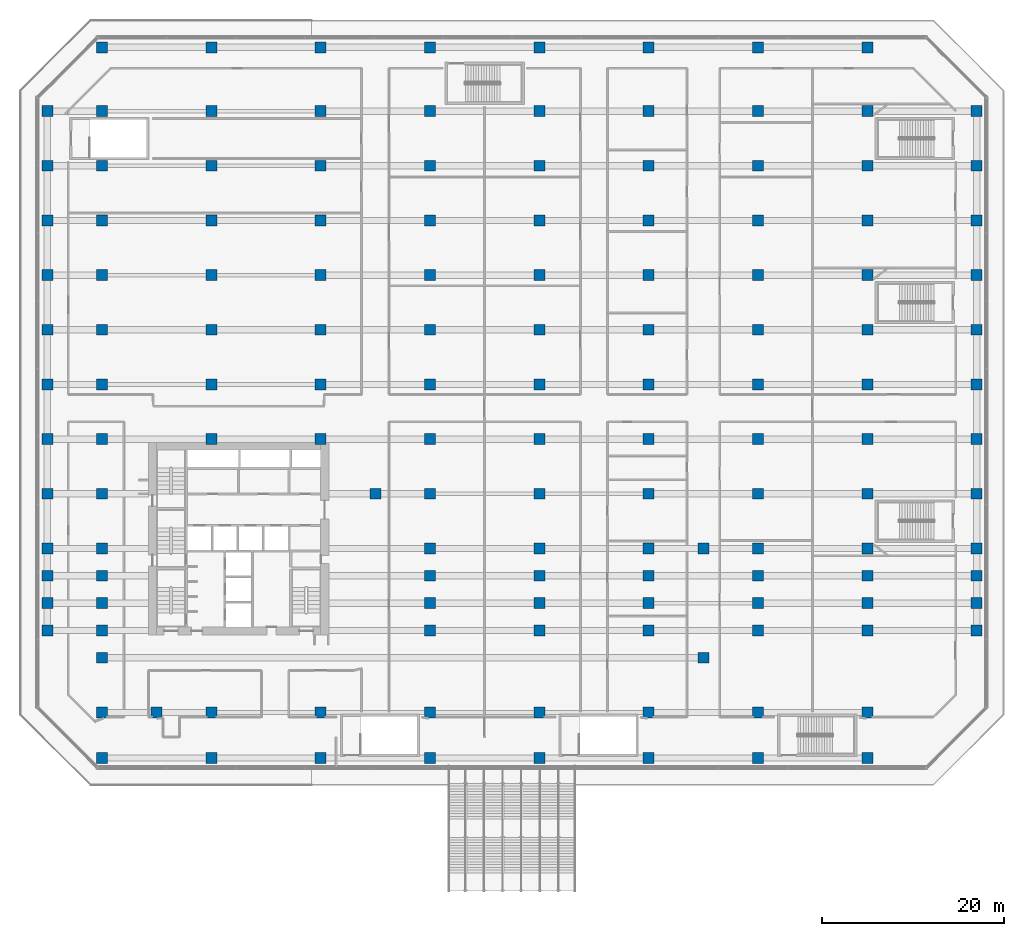
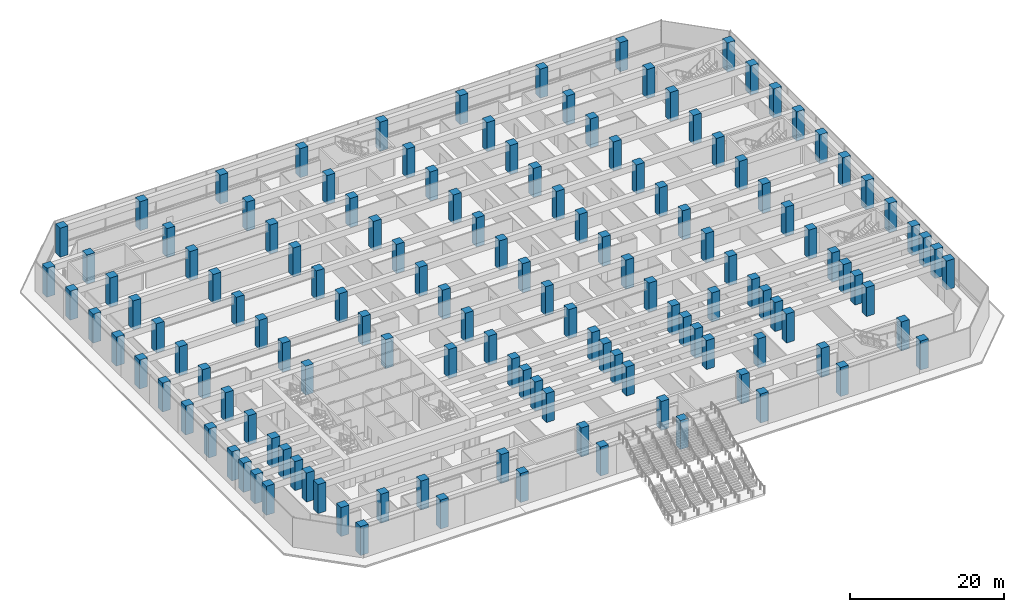
# One storey, part 1 of 40: 139 columns.
"""IFC4 building model written with IfcOpenShell, lengths in metres."""

from ifc_helpers import new_model, si_unit, direction, frame, origin, origin_2d, place, context, subcontext, project, spatial, rectangle, extrude, material, material_profile, profile_set, type_object, element, save


model = new_model("IFC4")

# Units and contexts
model_context = context("Model", 3, precision=1e-05, world=origin(), true_north=direction((0.0, 1.0)))
body_context = subcontext(model_context, "Body", "Model", "MODEL_VIEW")
ifc_project = project(units=[si_unit("LENGTHUNIT", "METRE"), si_unit("AREAUNIT", "SQUARE_METRE"), si_unit("VOLUMEUNIT", "CUBIC_METRE"), si_unit("PLANEANGLEUNIT", "RADIAN"), si_unit("MASSUNIT", "GRAM", prefix="KILO")], contexts=[model_context])

# Site, building, storey
site_placement = place(None, origin())
site = spatial("IfcSite", under=ifc_project, at=site_placement, CompositionType="ELEMENT")
building_placement = place(site_placement, origin())
building = spatial("IfcBuilding", under=site, at=building_placement, Name="Welwitschia Terrace Campus", CompositionType="ELEMENT")
storey_placement = place(building_placement, frame((0.0, 0.0, 6.0)))
storey = spatial("IfcBuildingStorey", under=building, at=storey_placement, Name="L01", CompositionType="ELEMENT", Elevation=6.0)

# Columns
ifc_material = material(Name="Concrete C60/75", Category="concrete")
ifc_material_profile = material_profile(ifc_material, rectangle(XDim=1.199951171875, YDim=1.199951171875, at=origin_2d()))
ifc_profile_set = profile_set([ifc_material_profile], Name="Concrete C60/75")
column_type = type_object("IfcColumnType", Name="Base column 1200x1200", PredefinedType="COLUMN", material=ifc_profile_set)
for number, where, z_axis, x_axis, name in (
    (1, (-6.0, 5.0, 0.0), (0.0, 0.0, 1.0), (1.0, 0.0, 0.0), "Column C1"),
    (2, (-6.0, 8.0, 0.0), (0.0, 0.0, 1.0), (1.0, 0.0, 0.0), "Column C1"),
    (3, (-6.0, 11.0, 0.0), (0.0, 0.0, 1.0), (1.0, 0.0, 0.0), "Column C1"),
    (4, (-6.0, 14.0, 0.0), (0.0, 0.0, 1.0), (1.0, 0.0, 0.0), "Column C1"),
    (5, (-6.0, 20.0, 0.0), (0.0, 0.0, 1.0), (1.0, 0.0, 0.0), "Column C1"),
    (6, (-6.0, 26.0, 0.0), (0.0, 0.0, 1.0), (1.0, 0.0, 0.0), "Column C1"),
    (7, (-6.0, 32.0, 0.0), (0.0, 0.0, 1.0), (1.0, 0.0, 0.0), "Column C1"),
    (8, (-6.0, 38.0, 0.0), (0.0, 0.0, 1.0), (1.0, 0.0, 0.0), "Column C1"),
    (9, (-6.0, 44.0, 0.0), (0.0, 0.0, 1.0), (1.0, 0.0, 0.0), "Column C1"),
    (10, (-6.0, 50.0, 0.0), (0.0, 0.0, 1.0), (1.0, 0.0, 0.0), "Column C1"),
    (11, (-6.0, 56.0, 0.0), (0.0, 0.0, 1.0), (1.0, 0.0, 0.0), "Column C1"),
    (12, (-6.0, 62.0, 0.0), (0.0, 0.0, 1.0), (1.0, 0.0, 0.0), "Column C1"),
    (13, (0.0, -9.0, 0.0), (0.0, 0.0, 1.0), (1.0, 0.0, 0.0), "Column C1"),
    (14, (0.0, -4.0, 0.0), (0.0, 0.0, 1.0), (1.0, 0.0, 0.0), "Column C1"),
    (15, (0.0, 2.0, 0.0), (0.0, 0.0, 1.0), (1.0, 0.0, 0.0), "Column C1"),
    (16, (0.0, 5.0, 0.0), (0.0, 0.0, 1.0), (1.0, 0.0, 0.0), "Column C1"),
    (17, (0.0, 8.0, 0.0), (0.0, 0.0, 1.0), (1.0, 0.0, 0.0), "Column C1"),
    (18, (0.0, 11.0, 0.0), (0.0, 0.0, 1.0), (1.0, 0.0, 0.0), "Column C1"),
    (19, (0.0, 14.0, 0.0), (0.0, 0.0, 1.0), (1.0, 0.0, 0.0), "Column C1"),
    (20, (0.0, 20.0, 0.0), (0.0, 0.0, 1.0), (1.0, 0.0, 0.0), "Column C1"),
    (21, (0.0, 26.0, 0.0), (0.0, 0.0, 1.0), (1.0, 0.0, 0.0), "Column C1"),
    (22, (0.0, 32.0, 0.0), (0.0, 0.0, 1.0), (1.0, 0.0, 0.0), "Column C1"),
    (23, (0.0, 38.0, 0.0), (0.0, 0.0, 1.0), (1.0, 0.0, 0.0), "Column C1"),
    (24, (0.0, 44.0, 0.0), (0.0, 0.0, 1.0), (1.0, 0.0, 0.0), "Column C1"),
    (25, (0.0, 50.0, 0.0), (0.0, 0.0, 1.0), (1.0, 0.0, 0.0), "Column C1"),
    (26, (0.0, 56.0, 0.0), (0.0, 0.0, 1.0), (1.0, 0.0, 0.0), "Column C1"),
    (27, (0.0, 62.0, 0.0), (0.0, 0.0, 1.0), (1.0, 0.0, 0.0), "Column C1"),
    (28, (0.0, 69.0, 0.0), (0.0, 0.0, 1.0), (1.0, 0.0, 0.0), "Column C1"),
    (29, (6.0, -4.0, 0.0), (0.0, 0.0, 1.0), (1.0, 0.0, 0.0), "Column C1"),
    (30, (12.0, -9.0, 0.0), (0.0, 0.0, 1.0), (1.0, 0.0, 0.0), "Column C1"),
    (31, (12.0, -4.0, 0.0), (0.0, 0.0, 1.0), (1.0, 0.0, 0.0), "Column C1"),
    (32, (12.0, 26.0, 0.0), (0.0, 0.0, 1.0), (1.0, 0.0, 0.0), "Column C1"),
    (33, (12.0, 32.0, 0.0), (0.0, 0.0, 1.0), (1.0, 0.0, 0.0), "Column C1"),
    (34, (12.0, 38.0, 0.0), (0.0, 0.0, 1.0), (1.0, 0.0, 0.0), "Column C1"),
    (35, (12.0, 44.0, 0.0), (0.0, 0.0, 1.0), (1.0, 0.0, 0.0), "Column C1"),
    (36, (12.0, 50.0, 0.0), (0.0, 0.0, 1.0), (1.0, 0.0, 0.0), "Column C1"),
    (37, (12.0, 56.0, 0.0), (0.0, 0.0, 1.0), (1.0, 0.0, 0.0), "Column C1"),
    (38, (12.0, 62.0, 0.0), (0.0, 0.0, 1.0), (1.0, 0.0, 0.0), "Column C1"),
    (39, (12.0, 69.0, 0.0), (0.0, 0.0, 1.0), (1.0, 0.0, 0.0), "Column C1"),
    (40, (24.0, -9.0, 0.0), (0.0, 0.0, 1.0), (1.0, 0.0, 0.0), "Column C1"),
    (41, (24.0, -4.0, 0.0), (0.0, 0.0, 1.0), (1.0, 0.0, 0.0), "Column C1"),
    (42, (24.0, 26.0, 0.0), (0.0, 0.0, 1.0), (1.0, 0.0, 0.0), "Column C1"),
    (43, (24.0, 32.0, 0.0), (0.0, 0.0, 1.0), (1.0, 0.0, 0.0), "Column C1"),
    (44, (24.0, 38.0, 0.0), (0.0, 0.0, 1.0), (1.0, 0.0, 0.0), "Column C1"),
    (45, (24.0, 44.0, 0.0), (0.0, 0.0, 1.0), (1.0, 0.0, 0.0), "Column C1"),
    (46, (24.0, 50.0, 0.0), (0.0, 0.0, 1.0), (1.0, 0.0, 0.0), "Column C1"),
    (47, (24.0, 56.0, 0.0), (0.0, 0.0, 1.0), (1.0, 0.0, 0.0), "Column C1"),
    (48, (24.0, 62.0, 0.0), (0.0, 0.0, 1.0), (1.0, 0.0, 0.0), "Column C1"),
    (49, (24.0, 69.0, 0.0), (0.0, 0.0, 1.0), (1.0, 0.0, 0.0), "Column C1"),
    (50, (30.0, 20.0, 0.0), (0.0, 0.0, 1.0), (1.0, 0.0, 0.0), "Column C1"),
    (51, (36.0, -9.0, 0.0), (0.0, 0.0, 1.0), (1.0, 0.0, 0.0), "Column C1"),
    (52, (36.0, -4.0, 0.0), (0.0, 0.0, 1.0), (1.0, 0.0, 0.0), "Column C1"),
    (53, (36.0, 5.0, 0.0), (0.0, 0.0, 1.0), (1.0, 0.0, 0.0), "Column C1"),
    (54, (36.0, 8.0, 0.0), (0.0, 0.0, 1.0), (1.0, 0.0, 0.0), "Column C1"),
    (55, (36.0, 11.0, 0.0), (0.0, 0.0, 1.0), (1.0, 0.0, 0.0), "Column C1"),
    (56, (36.0, 14.0, 0.0), (0.0, 0.0, 1.0), (1.0, 0.0, 0.0), "Column C1"),
    (57, (36.0, 20.0, 0.0), (0.0, 0.0, 1.0), (1.0, 0.0, 0.0), "Column C1"),
    (58, (36.0, 26.0, 0.0), (0.0, 0.0, 1.0), (1.0, 0.0, 0.0), "Column C1"),
    (59, (36.0, 32.0, 0.0), (0.0, 0.0, 1.0), (1.0, 0.0, 0.0), "Column C1"),
    (60, (36.0, 38.0, 0.0), (0.0, 0.0, 1.0), (1.0, 0.0, 0.0), "Column C1"),
    (61, (36.0, 44.0, 0.0), (0.0, 0.0, 1.0), (1.0, 0.0, 0.0), "Column C1"),
    (62, (36.0, 50.0, 0.0), (0.0, 0.0, 1.0), (1.0, 0.0, 0.0), "Column C1"),
    (63, (36.0, 56.0, 0.0), (0.0, 0.0, 1.0), (1.0, 0.0, 0.0), "Column C1"),
    (64, (36.0, 62.0, 0.0), (0.0, 0.0, 1.0), (1.0, 0.0, 0.0), "Column C1"),
    (65, (36.0, 69.0, 0.0), (0.0, 0.0, 1.0), (1.0, 0.0, 0.0), "Column C1"),
    (66, (48.0, -9.0, 0.0), (0.0, 0.0, 1.0), (1.0, 0.0, 0.0), "Column C1"),
    (67, (48.0, -4.0, 0.0), (0.0, 0.0, 1.0), (1.0, 0.0, 0.0), "Column C1"),
    (68, (48.0, 5.0, 0.0), (0.0, 0.0, 1.0), (1.0, 0.0, 0.0), "Column C1"),
    (69, (48.0, 8.0, 0.0), (0.0, 0.0, 1.0), (1.0, 0.0, 0.0), "Column C1"),
    (70, (48.0, 11.0, 0.0), (0.0, 0.0, 1.0), (1.0, 0.0, 0.0), "Column C1"),
    (71, (48.0, 14.0, 0.0), (0.0, 0.0, 1.0), (1.0, 0.0, 0.0), "Column C1"),
    (72, (48.0, 20.0, 0.0), (0.0, 0.0, 1.0), (1.0, 0.0, 0.0), "Column C1"),
    (73, (48.0, 26.0, 0.0), (0.0, 0.0, 1.0), (1.0, 0.0, 0.0), "Column C1"),
    (74, (48.0, 32.0, 0.0), (0.0, 0.0, 1.0), (1.0, 0.0, 0.0), "Column C1"),
    (75, (48.0, 38.0, 0.0), (0.0, 0.0, 1.0), (1.0, 0.0, 0.0), "Column C1"),
    (76, (48.0, 44.0, 0.0), (0.0, 0.0, 1.0), (1.0, 0.0, 0.0), "Column C1"),
    (77, (48.0, 50.0, 0.0), (0.0, 0.0, 1.0), (1.0, 0.0, 0.0), "Column C1"),
    (78, (48.0, 56.0, 0.0), (0.0, 0.0, 1.0), (1.0, 0.0, 0.0), "Column C1"),
    (79, (48.0, 62.0, 0.0), (0.0, 0.0, 1.0), (1.0, 0.0, 0.0), "Column C1"),
    (80, (48.0, 69.0, 0.0), (0.0, 0.0, 1.0), (1.0, 0.0, 0.0), "Column C1"),
    (81, (60.0, -9.0, 0.0), (0.0, 0.0, 1.0), (1.0, 0.0, 0.0), "Column C1"),
    (82, (60.0, -4.0, 0.0), (0.0, 0.0, 1.0), (1.0, 0.0, 0.0), "Column C1"),
    (83, (60.0, 5.0, 0.0), (0.0, 0.0, 1.0), (1.0, 0.0, 0.0), "Column C1"),
    (84, (60.0, 8.0, 0.0), (0.0, 0.0, 1.0), (1.0, 0.0, 0.0), "Column C1"),
    (85, (60.0, 11.0, 0.0), (0.0, 0.0, 1.0), (1.0, 0.0, 0.0), "Column C1"),
    (86, (60.0, 14.0, 0.0), (0.0, 0.0, 1.0), (1.0, 0.0, 0.0), "Column C1"),
    (87, (60.0, 20.0, 0.0), (0.0, 0.0, 1.0), (1.0, 0.0, 0.0), "Column C1"),
    (88, (60.0, 26.0, 0.0), (0.0, 0.0, 1.0), (1.0, 0.0, 0.0), "Column C1"),
    (89, (60.0, 32.0, 0.0), (0.0, 0.0, 1.0), (1.0, 0.0, 0.0), "Column C1"),
    (90, (60.0, 38.0, 0.0), (0.0, 0.0, 1.0), (1.0, 0.0, 0.0), "Column C1"),
    (91, (60.0, 44.0, 0.0), (0.0, 0.0, 1.0), (1.0, 0.0, 0.0), "Column C1"),
    (92, (60.0, 50.0, 0.0), (0.0, 0.0, 1.0), (1.0, 0.0, 0.0), "Column C1"),
    (93, (60.0, 56.0, 0.0), (0.0, 0.0, 1.0), (1.0, 0.0, 0.0), "Column C1"),
    (94, (60.0, 62.0, 0.0), (0.0, 0.0, 1.0), (1.0, 0.0, 0.0), "Column C1"),
    (95, (60.0, 69.0, 0.0), (0.0, 0.0, 1.0), (1.0, 0.0, 0.0), "Column C1"),
    (96, (66.0, 2.0, 0.0), (0.0, 0.0, 1.0), (1.0, 0.0, 0.0), "Column C1"),
    (97, (66.0, 14.0, 0.0), (0.0, 0.0, 1.0), (1.0, 0.0, 0.0), "Column C1"),
    (98, (72.0, -9.0, 0.0), (0.0, 0.0, 1.0), (1.0, 0.0, 0.0), "Column C1"),
    (99, (72.0, -4.0, 0.0), (0.0, 0.0, 1.0), (1.0, 0.0, 0.0), "Column C1"),
    (100, (72.0, 5.0, 0.0), (0.0, 0.0, 1.0), (1.0, 0.0, 0.0), "Column C1"),
    (101, (72.0, 8.0, 0.0), (0.0, 0.0, 1.0), (1.0, 0.0, 0.0), "Column C1"),
    (102, (72.0, 11.0, 0.0), (0.0, 0.0, 1.0), (1.0, 0.0, 0.0), "Column C1"),
    (103, (72.0, 14.0, 0.0), (0.0, 0.0, 1.0), (1.0, 0.0, 0.0), "Column C1"),
    (104, (72.0, 20.0, 0.0), (0.0, 0.0, 1.0), (1.0, 0.0, 0.0), "Column C1"),
    (105, (72.0, 26.0, 0.0), (0.0, 0.0, 1.0), (1.0, 0.0, 0.0), "Column C1"),
    (106, (72.0, 32.0, 0.0), (0.0, 0.0, 1.0), (1.0, 0.0, 0.0), "Column C1"),
    (107, (72.0, 38.0, 0.0), (0.0, 0.0, 1.0), (1.0, 0.0, 0.0), "Column C1"),
    (108, (72.0, 44.0, 0.0), (0.0, 0.0, 1.0), (1.0, 0.0, 0.0), "Column C1"),
    (109, (72.0, 50.0, 0.0), (0.0, 0.0, 1.0), (1.0, 0.0, 0.0), "Column C1"),
    (110, (72.0, 56.0, 0.0), (0.0, 0.0, 1.0), (1.0, 0.0, 0.0), "Column C1"),
    (111, (72.0, 62.0, 0.0), (0.0, 0.0, 1.0), (1.0, 0.0, 0.0), "Column C1"),
    (112, (72.0, 69.0, 0.0), (0.0, 0.0, 1.0), (1.0, 0.0, 0.0), "Column C1"),
    (113, (84.0, -9.0, 0.0), (0.0, 0.0, 1.0), (1.0, 0.0, 0.0), "Column C1"),
    (114, (84.0, -4.0, 0.0), (0.0, 0.0, 1.0), (1.0, 0.0, 0.0), "Column C1"),
    (115, (84.0, 5.0, 0.0), (0.0, 0.0, 1.0), (1.0, 0.0, 0.0), "Column C1"),
    (116, (84.0, 8.0, 0.0), (0.0, 0.0, 1.0), (1.0, 0.0, 0.0), "Column C1"),
    (117, (84.0, 11.0, 0.0), (0.0, 0.0, 1.0), (1.0, 0.0, 0.0), "Column C1"),
    (118, (84.0, 14.0, 0.0), (0.0, 0.0, 1.0), (1.0, 0.0, 0.0), "Column C1"),
    (119, (84.0, 20.0, 0.0), (0.0, 0.0, 1.0), (1.0, 0.0, 0.0), "Column C1"),
    (120, (84.0, 26.0, 0.0), (0.0, 0.0, 1.0), (1.0, 0.0, 0.0), "Column C1"),
    (121, (84.0, 32.0, 0.0), (0.0, 0.0, 1.0), (1.0, 0.0, 0.0), "Column C1"),
    (122, (84.0, 38.0, 0.0), (0.0, 0.0, 1.0), (1.0, 0.0, 0.0), "Column C1"),
    (123, (84.0, 44.0, 0.0), (0.0, 0.0, 1.0), (1.0, 0.0, 0.0), "Column C1"),
    (124, (84.0, 50.0, 0.0), (0.0, 0.0, 1.0), (1.0, 0.0, 0.0), "Column C1"),
    (125, (84.0, 56.0, 0.0), (0.0, 0.0, 1.0), (1.0, 0.0, 0.0), "Column C1"),
    (126, (84.0, 62.0, 0.0), (0.0, 0.0, 1.0), (1.0, 0.0, 0.0), "Column C1"),
    (127, (84.0, 69.0, 0.0), (0.0, 0.0, 1.0), (1.0, 0.0, 0.0), "Column C1"),
    (128, (96.0, 5.0, 0.0), (0.0, 0.0, 1.0), (1.0, 0.0, 0.0), "Column C1"),
    (129, (96.0, 8.0, 0.0), (0.0, 0.0, 1.0), (1.0, 0.0, 0.0), "Column C1"),
    (130, (96.0, 11.0, 0.0), (0.0, 0.0, 1.0), (1.0, 0.0, 0.0), "Column C1"),
    (131, (96.0, 14.0, 0.0), (0.0, 0.0, 1.0), (1.0, 0.0, 0.0), "Column C1"),
    (132, (96.0, 20.0, 0.0), (0.0, 0.0, 1.0), (1.0, 0.0, 0.0), "Column C1"),
    (133, (96.0, 26.0, 0.0), (0.0, 0.0, 1.0), (1.0, 0.0, 0.0), "Column C1"),
    (134, (96.0, 32.0, 0.0), (0.0, 0.0, 1.0), (1.0, 0.0, 0.0), "Column C1"),
    (135, (96.0, 38.0, 0.0), (0.0, 0.0, 1.0), (1.0, 0.0, 0.0), "Column C1"),
    (136, (96.0, 44.0, 0.0), (0.0, 0.0, 1.0), (1.0, 0.0, 0.0), "Column C1"),
    (137, (96.0, 50.0, 0.0), (0.0, 0.0, 1.0), (1.0, 0.0, 0.0), "Column C1"),
    (138, (96.0, 56.0, 0.0), (0.0, 0.0, 1.0), (1.0, 0.0, 0.0), "Column C1"),
    (139, (96.0, 62.0, 0.0), (0.0, 0.0, 1.0), (1.0, 0.0, 0.0), "Column C1"),
):
    element("IfcColumn", number, at=place(storey_placement, frame(where, z_axis=z_axis, x_axis=x_axis)), inside=storey, type_object=column_type, Name=name, PredefinedType="COLUMN", context=body_context, shape_type="SweptSolid", body=[
        extrude(rectangle(XDim=1.199951171875, YDim=1.199951171875, at=origin_2d()), origin(), (0.0, 0.0, 1.0), 4.60009765625),
    ])

save(model, "model.ifc")
